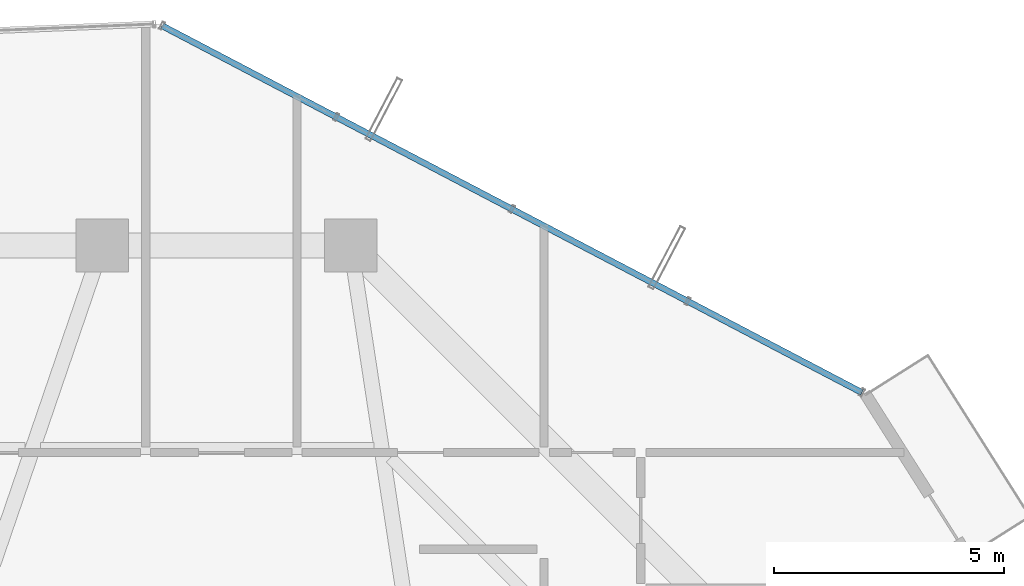
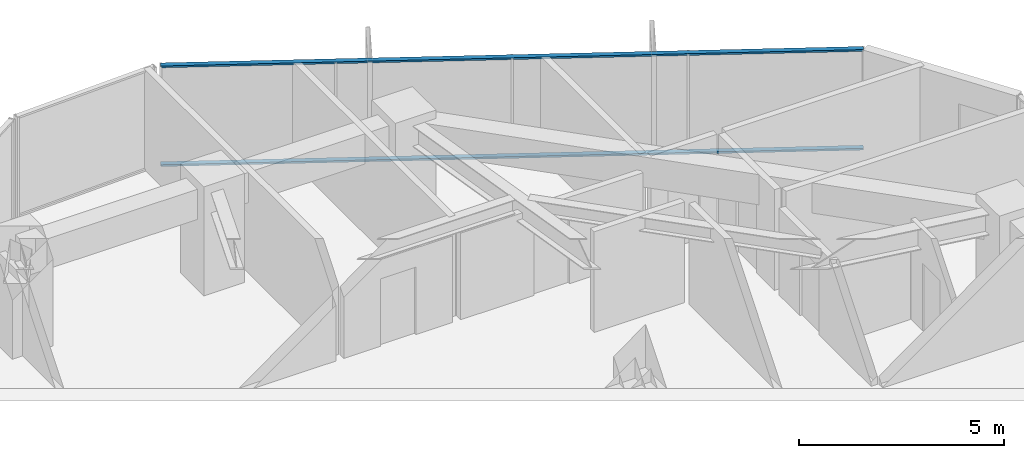
# One storey, part 23 of 32: 2 members, 1 element without a shape of its own.
"""IFC4 building model written with IfcOpenShell, lengths in metres."""

from ifc_helpers import new_model, si_unit, direction, frame, origin, origin_2d, place, context, subcontext, project, spatial, hollow_rectangle, extrude, source, transform, mapped, material, layer, layer_set, material_profile, profile_set, type_object, element, aggregate, save


model = new_model("IFC4")

# Units and contexts
model_context = context("Model", 3, precision=1e-05, world=origin(), true_north=direction((0.0, 1.0)))
body_context = subcontext(model_context, "Body", "Model", "MODEL_VIEW")
ifc_project = project(units=[si_unit("LENGTHUNIT", "METRE"), si_unit("AREAUNIT", "SQUARE_METRE"), si_unit("VOLUMEUNIT", "CUBIC_METRE"), si_unit("PLANEANGLEUNIT", "RADIAN"), si_unit("MASSUNIT", "GRAM", prefix="KILO")], contexts=[model_context])

# Site, building, storey
site_placement = place(None, origin())
site = spatial("IfcSite", under=ifc_project, at=site_placement, CompositionType="ELEMENT")
building_placement = place(site_placement, origin())
building = spatial("IfcBuilding", under=site, at=building_placement, Name="Veraguas Prism Commons", CompositionType="ELEMENT")
storey_placement = place(building_placement, frame((0.0, 0.0, 136.0)))
storey = spatial("IfcBuildingStorey", under=building, at=storey_placement, Name="L38", CompositionType="ELEMENT", Elevation=136.0)

# Curtain wall, members
ifc_material = material(Name="Anodised aluminium EN AW-6063 T6", Category="aluminium")
ifc_layer = layer(ifc_material, 0.169921875, Name="Unitised Flush Curtain Wall Zone 2", Category="aluminium")
ifc_layer_set = layer_set([ifc_layer], Name="Anodised aluminium EN AW-6063 T6")
curtain_wall_type = type_object("IfcCurtainWallType", Name="Unitised Flush Curtain Wall Zone 2", PredefinedType="NOTDEFINED", material=ifc_layer_set)
curtain_wall_placement = place(storey_placement, origin())
curtain_wall = element("IfcCurtainWall", 1, at=curtain_wall_placement, inside=storey, type_object=curtain_wall_type, Name="Tower Facade Curtain Wall L38-F1", PredefinedType="NOTDEFINED")
ifc_material_profile = material_profile(ifc_material, hollow_rectangle(XDim=0.054931640625, YDim=0.135009765625, WallThickness=0.0029296875, at=origin_2d()), Name="AL55X135X3")
ifc_profile_set = profile_set([ifc_material_profile], Name="Anodised aluminium EN AW-6063 T6")
member_type = type_object("IfcMemberType", Name="Curtain Wall Transom Standard AL 55x135x3", PredefinedType="USERDEFINED", material=ifc_profile_set)
shared_shape = source(origin(), body_context, "Body", "SweptSolid", [
    extrude(hollow_rectangle(XDim=0.054931640625, YDim=0.135009765625, WallThickness=0.0029296875, at=origin_2d()), origin(), (0.0, 0.0, 1.0), 17.17431640625),
])
member_1_placement = place(storey_placement, frame((40.5107421875, 37.00390625, 0.027587890625), z_axis=(-0.88572049302, 0.464218922755, 0.0), x_axis=(0.0, 0.0, 1.0)))
member_1 = element("IfcMember", 2, at=member_1_placement, type_object=member_type, Name="CW-Z2 Transom 1", ObjectType="TRANSOM", PredefinedType="USERDEFINED", context=body_context, shape_type="MappedRepresentation", body=[
    mapped(shared_shape, transform((0.0, 0.0, 0.0), scale=1.0)),
])
member_2_placement = place(storey_placement, frame((40.5107421875, 37.00390625, 2.972412109375), z_axis=(-0.88572049302, 0.464218922755, 0.0), x_axis=(0.0, 0.0, 1.0)))
member_2 = element("IfcMember", 3, at=member_2_placement, type_object=member_type, Name="CW-Z2 Transom 2", ObjectType="TRANSOM", PredefinedType="USERDEFINED", context=body_context, shape_type="MappedRepresentation", body=[
    mapped(shared_shape, transform((0.0, 0.0, 0.0), scale=1.0)),
])
aggregate(curtain_wall, [member_1, member_2])

save(model, "model.ifc")
